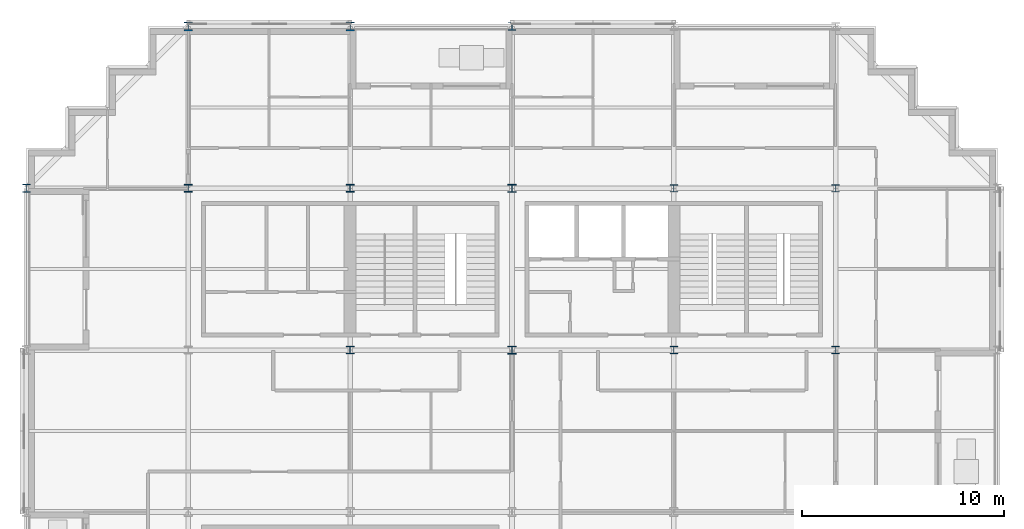
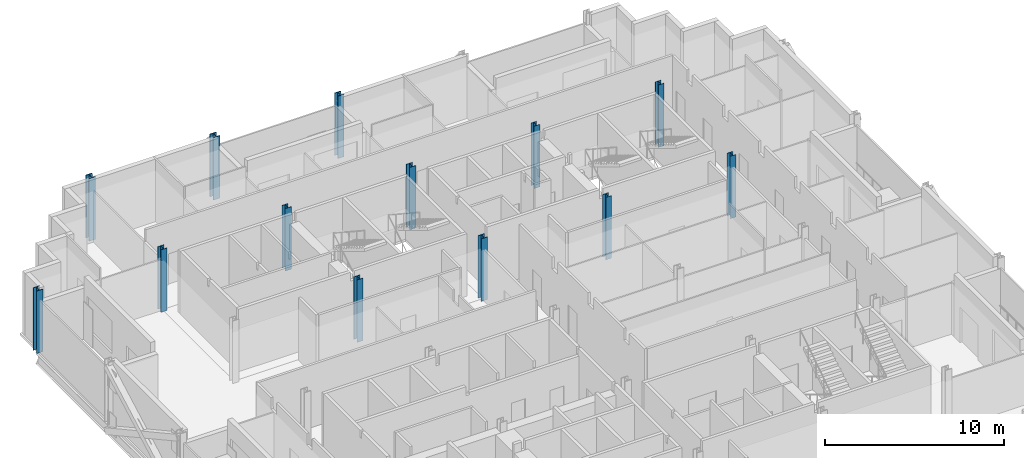
# One storey, part 2 of 15: 13 columns.
"""IFC4 building model written with IfcOpenShell, lengths in metres."""

from ifc_helpers import new_model, si_unit, direction, frame, origin, origin_2d, place, context, subcontext, project, spatial, i_section, extrude, material, material_profile, profile_set, type_object, element, save


model = new_model("IFC4")

# Units and contexts
model_context = context("Model", 3, precision=1e-05, world=origin(), true_north=direction((0.0, 1.0)))
body_context = subcontext(model_context, "Body", "Model", "MODEL_VIEW")
ifc_project = project(units=[si_unit("LENGTHUNIT", "METRE"), si_unit("AREAUNIT", "SQUARE_METRE"), si_unit("VOLUMEUNIT", "CUBIC_METRE"), si_unit("PLANEANGLEUNIT", "RADIAN"), si_unit("MASSUNIT", "GRAM", prefix="KILO")], contexts=[model_context])

# Site, building, storey
site_placement = place(None, origin())
site = spatial("IfcSite", under=ifc_project, at=site_placement, CompositionType="ELEMENT")
building_placement = place(site_placement, origin())
building = spatial("IfcBuilding", under=site, at=building_placement, Name="Immortelle Media Tower", CompositionType="ELEMENT")
storey_placement = place(building_placement, frame((0.0, 0.0, 70.0)))
storey = spatial("IfcBuildingStorey", under=building, at=storey_placement, Name="L12", CompositionType="ELEMENT", Elevation=70.0)

# Columns
ifc_material = material(Name="Steel ASTM A992 Gr 50", Category="steel")
ifc_material_profile_1 = material_profile(ifc_material, i_section(OverallWidth=0.39404296875, OverallDepth=0.3759765625, WebThickness=0.01708984375, FlangeThickness=0.028076171875, at=origin_2d()), Name="W14x145")
ifc_profile_set_1 = profile_set([ifc_material_profile_1], Name="Steel ASTM A992 Gr 50")
column_type_1 = type_object("IfcColumnType", Name="W14x145 column", PredefinedType="COLUMN", material=ifc_profile_set_1)
for number, where, z_axis, x_axis, name in (
    (1, (8.0, 40.0, 0.0), (0.0, 0.0, 1.0), (1.0, 0.0, 0.0), "Column 2/F"),
    (2, (16.0, 32.0, 0.0), (0.0, 0.0, 1.0), (1.0, 0.0, 0.0), "Column 3/E"),
    (3, (16.0, 40.0, 0.0), (0.0, 0.0, 1.0), (1.0, 0.0, 0.0), "Column 3/F"),
):
    element("IfcColumn", number, at=place(storey_placement, frame(where, z_axis=z_axis, x_axis=x_axis)), inside=storey, type_object=column_type_1, Name=name, PredefinedType="COLUMN", context=body_context, shape_type="SweptSolid", body=[
        extrude(i_section(OverallWidth=0.39404296875, OverallDepth=0.3759765625, WebThickness=0.01708984375, FlangeThickness=0.028076171875, at=origin_2d()), origin(), (0.0, 0.0, 1.0), 4.25),
    ])
ifc_material_profile_2 = material_profile(ifc_material, i_section(OverallWidth=0.39892578125, OverallDepth=0.385986328125, WebThickness=0.02099609375, FlangeThickness=0.032958984375, at=origin_2d()), Name="W14x176")
ifc_profile_set_2 = profile_set([ifc_material_profile_2], Name="Steel ASTM A992 Gr 50")
column_type_2 = type_object("IfcColumnType", Name="W14x176 column", PredefinedType="COLUMN", material=ifc_profile_set_2)
for number, where, z_axis, x_axis, name in (
    (4, (24.0, 32.0, 0.0), (0.0, 0.0, 1.0), (1.0, 0.0, 0.0), "Column 4/E"),
    (5, (24.0, 40.0, 0.0), (0.0, 0.0, 1.0), (1.0, 0.0, 0.0), "Column 4/F"),
):
    element("IfcColumn", number, at=place(storey_placement, frame(where, z_axis=z_axis, x_axis=x_axis)), inside=storey, type_object=column_type_2, Name=name, PredefinedType="COLUMN", context=body_context, shape_type="SweptSolid", body=[
        extrude(i_section(OverallWidth=0.39892578125, OverallDepth=0.385986328125, WebThickness=0.02099609375, FlangeThickness=0.032958984375, at=origin_2d()), origin(), (0.0, 0.0, 1.0), 4.25),
    ])
ifc_material_profile_3 = material_profile(ifc_material, i_section(OverallWidth=0.40087890625, OverallDepth=0.39892578125, WebThickness=0.02490234375, FlangeThickness=0.0400390625, at=origin_2d()), Name="W14x211")
ifc_profile_set_3 = profile_set([ifc_material_profile_3], Name="Steel ASTM A992 Gr 50")
column_type_3 = type_object("IfcColumnType", Name="W14x211 column", PredefinedType="COLUMN", material=ifc_profile_set_3)
for number, where, z_axis, x_axis, name in (
    (6, (0.0, 40.0, 0.0), (0.0, 0.0, 1.0), (1.0, 0.0, 0.0), "Column 1/F"),
    (7, (24.0, 48.0, 0.0), (0.0, 0.0, 1.0), (1.0, 0.0, 0.0), "Column 4/G"),
):
    element("IfcColumn", number, at=place(storey_placement, frame(where, z_axis=z_axis, x_axis=x_axis)), inside=storey, type_object=column_type_3, Name=name, PredefinedType="COLUMN", context=body_context, shape_type="SweptSolid", body=[
        extrude(i_section(OverallWidth=0.40087890625, OverallDepth=0.39892578125, WebThickness=0.02490234375, FlangeThickness=0.0400390625, at=origin_2d()), origin(), (0.0, 0.0, 1.0), 4.25),
    ])
ifc_material_profile_4 = material_profile(ifc_material, i_section(OverallWidth=0.410888671875, OverallDepth=0.43408203125, WebThickness=0.035888671875, FlangeThickness=0.056884765625, at=origin_2d()), Name="W14x311")
ifc_profile_set_4 = profile_set([ifc_material_profile_4], Name="Steel ASTM A992 Gr 50")
column_type_4 = type_object("IfcColumnType", Name="W14x311 column", PredefinedType="COLUMN", material=ifc_profile_set_4)
for number, where, z_axis, x_axis, name in (
    (8, (8.0, 48.0, 0.0), (0.0, 0.0, 1.0), (1.0, 0.0, 0.0), "Column 2/G"),
    (9, (16.0, 48.0, 0.0), (0.0, 0.0, 1.0), (1.0, 0.0, 0.0), "Column 3/G"),
):
    element("IfcColumn", number, at=place(storey_placement, frame(where, z_axis=z_axis, x_axis=x_axis)), inside=storey, type_object=column_type_4, Name=name, PredefinedType="COLUMN", context=body_context, shape_type="SweptSolid", body=[
        extrude(i_section(OverallWidth=0.410888671875, OverallDepth=0.43408203125, WebThickness=0.035888671875, FlangeThickness=0.056884765625, at=origin_2d()), origin(), (0.0, 0.0, 1.0), 4.25),
    ])
ifc_material_profile_5 = material_profile(ifc_material, i_section(OverallWidth=0.37109375, OverallDepth=0.361083984375, WebThickness=0.011962890625, FlangeThickness=0.02001953125, at=origin_2d()), Name="W14x99")
ifc_profile_set_5 = profile_set([ifc_material_profile_5], Name="Steel ASTM A992 Gr 50")
column_type_5 = type_object("IfcColumnType", Name="W14x99 column", PredefinedType="COLUMN", material=ifc_profile_set_5)
for number, where, z_axis, x_axis, name in (
    (10, (32.0, 32.0, 0.0), (0.0, 0.0, 1.0), (1.0, 0.0, 0.0), "Column 5/E"),
    (11, (32.0, 40.0, 0.0), (0.0, 0.0, 1.0), (1.0, 0.0, 0.0), "Column 5/F"),
    (12, (40.0, 32.0, 0.0), (0.0, 0.0, 1.0), (1.0, 0.0, 0.0), "Column 6/E"),
    (13, (40.0, 40.0, 0.0), (0.0, 0.0, 1.0), (1.0, 0.0, 0.0), "Column 6/F"),
):
    element("IfcColumn", number, at=place(storey_placement, frame(where, z_axis=z_axis, x_axis=x_axis)), inside=storey, type_object=column_type_5, Name=name, PredefinedType="COLUMN", context=body_context, shape_type="SweptSolid", body=[
        extrude(i_section(OverallWidth=0.37109375, OverallDepth=0.361083984375, WebThickness=0.011962890625, FlangeThickness=0.02001953125, at=origin_2d()), origin(), (0.0, 0.0, 1.0), 4.25),
    ])

save(model, "model.ifc")
